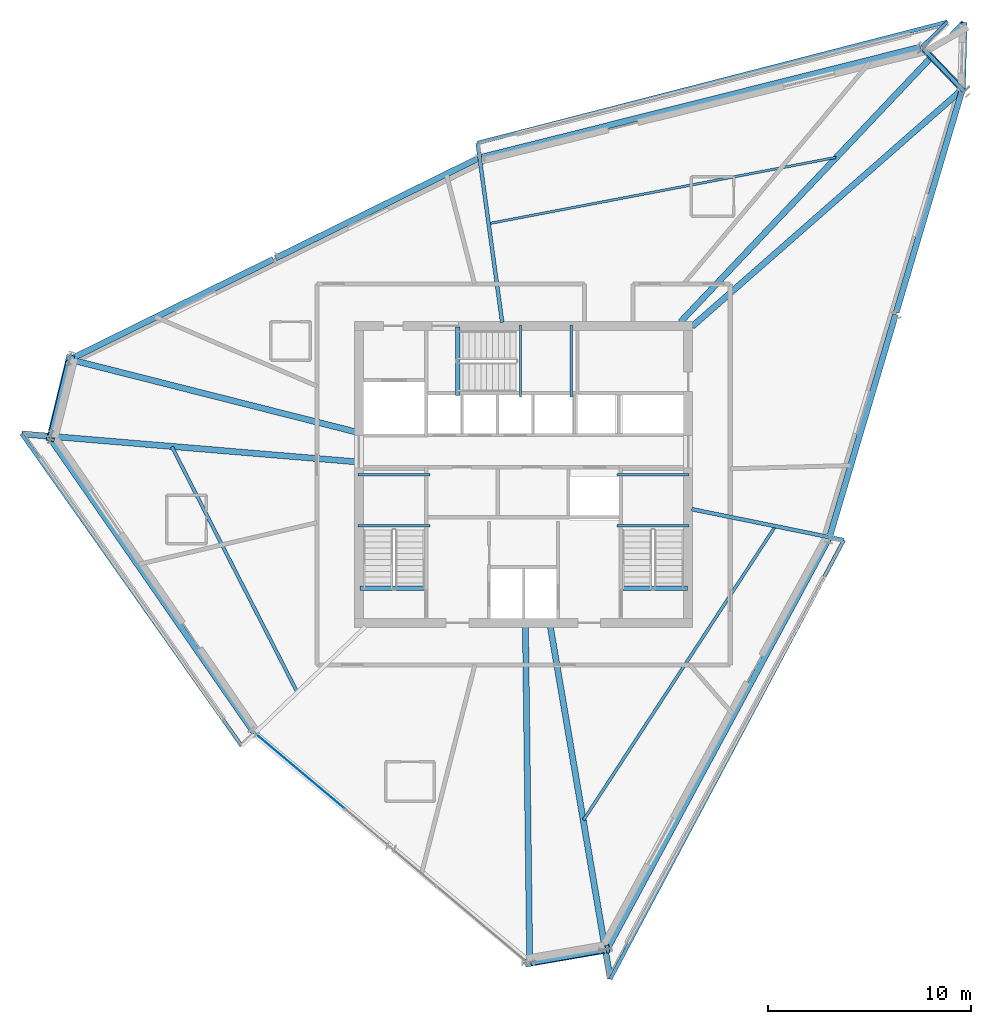
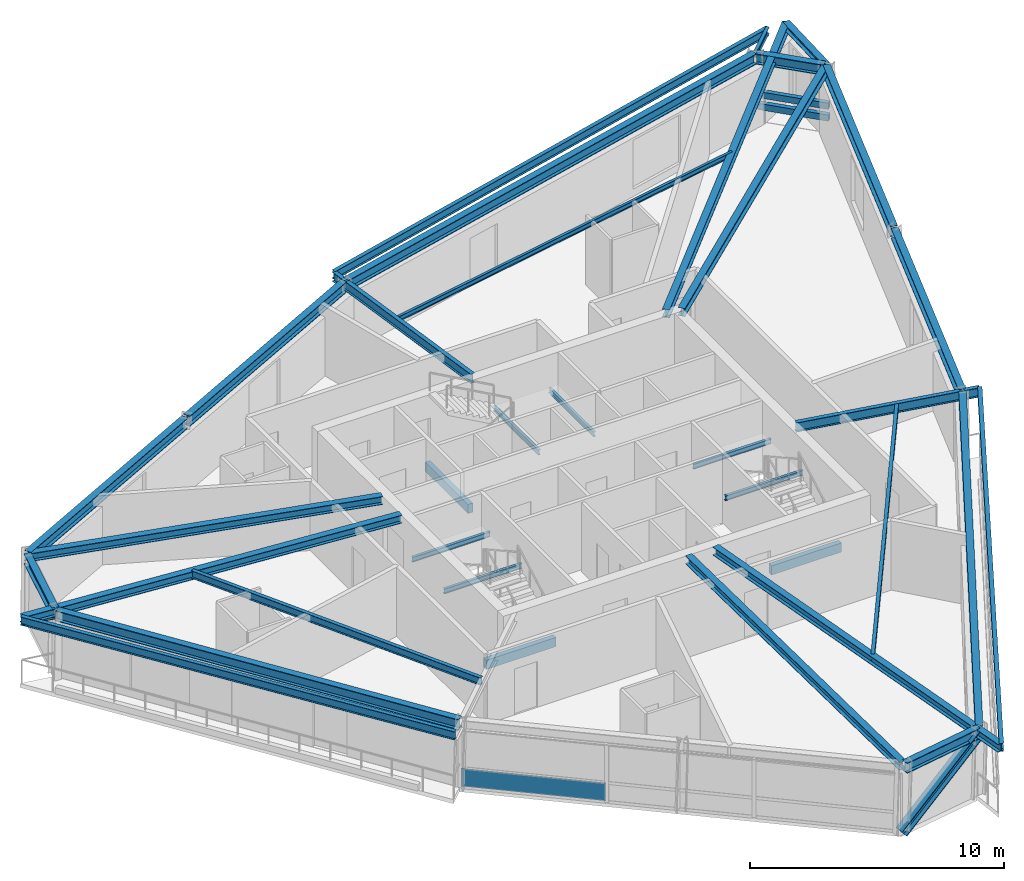
# One storey, part 4 of 14: 35 beams, 4 members, 1 plate, 1 element without a shape of its own.
"""IFC4 building model written with IfcOpenShell, lengths in metres."""

from ifc_helpers import new_model, si_unit, direction, frame, origin, origin_2d, place, context, subcontext, project, spatial, rectangle, hollow_rectangle, i_section, extrude, source, transform, mapped, material, material_profile, profile_set, type_object, element, aggregate, save


model = new_model("IFC4")

# Units and contexts
model_context = context("Model", 3, precision=1e-05, world=origin(), true_north=direction((0.0, 1.0)))
body_context = subcontext(model_context, "Body", "Model", "MODEL_VIEW")
ifc_project = project(units=[si_unit("LENGTHUNIT", "METRE"), si_unit("AREAUNIT", "SQUARE_METRE"), si_unit("VOLUMEUNIT", "CUBIC_METRE"), si_unit("PLANEANGLEUNIT", "RADIAN"), si_unit("MASSUNIT", "GRAM", prefix="KILO")], contexts=[model_context])

# Site, building, storey
site_placement = place(None, origin())
site = spatial("IfcSite", under=ifc_project, at=site_placement, CompositionType="ELEMENT")
building_placement = place(site_placement, origin())
building = spatial("IfcBuilding", under=site, at=building_placement, Name="Olszyna Solenne Hotel", CompositionType="ELEMENT")
storey_placement = place(building_placement, frame((0.0, 0.0, 216.699951171875)))
storey = spatial("IfcBuildingStorey", under=building, at=storey_placement, Name="L57", CompositionType="ELEMENT", Elevation=216.699951171875)

# Beams
ifc_material_1 = material(Name="Steel S355J2", Category="steel")
ifc_material_profile_1 = material_profile(ifc_material_1, i_section(OverallWidth=0.300048828125, OverallDepth=0.5, WebThickness=0.014404296875, FlangeThickness=0.028076171875, at=origin_2d()), Name="HEB 500", Category="load-bearing")
ifc_profile_set_1 = profile_set([ifc_material_profile_1], Name="Steel S355J2")
beam_type_1 = type_object("IfcBeamType", Name="BM-S3", PredefinedType="BEAM", material=ifc_profile_set_1)
shared_shape_1 = source(origin(), body_context, "Body", "SweptSolid", [
    extrude(i_section(OverallWidth=0.300048828125, OverallDepth=0.5, WebThickness=0.014404296875, FlangeThickness=0.028076171875, at=origin_2d()), origin(), (0.0, 0.0, 1.0), 2.787841796875),
])
beam_1_placement = place(storey_placement, frame((59.614013671875, 45.64111328125, 3.080078125), z_axis=(-0.692732331113, 0.721194784667, 0.0), x_axis=(-0.721194784667, -0.692732331113, 0.0)))
element("IfcBeam", 1, at=beam_1_placement, inside=storey, type_object=beam_type_1, Name="Perimeter spandrel beam BM-S3 B-L57-1679", PredefinedType="BEAM", context=body_context, shape_type="MappedRepresentation", body=[
    mapped(shared_shape_1, transform((0.0, 0.0, 0.0), x_axis=(1.0, 0.0, 0.0), y_axis=(0.0, 1.0, 0.0), z_axis=(0.0, 0.0, 1.0), scale=1.0)),
])
shared_shape_2 = source(origin(), body_context, "Body", "SweptSolid", [
    extrude(i_section(OverallWidth=0.300048828125, OverallDepth=0.5, WebThickness=0.014404296875, FlangeThickness=0.028076171875, at=origin_2d()), origin(), (0.0, 0.0, 1.0), 22.39111328125),
])
beam_2_placement = place(storey_placement, frame((57.5830078125, 47.68017578125, 3.080078125), z_axis=(-0.969934981378, -0.243364196009, 0.0), x_axis=(0.243364196009, -0.969934981378, 0.0)))
element("IfcBeam", 2, at=beam_2_placement, inside=storey, type_object=beam_type_1, Name="Perimeter spandrel beam BM-S3 B-L57-1680", PredefinedType="BEAM", context=body_context, shape_type="MappedRepresentation", body=[
    mapped(shared_shape_2, transform((0.0, 0.0, 0.0), x_axis=(1.0, 0.0, 0.0), y_axis=(0.0, 1.0, 0.0), z_axis=(0.0, 0.0, 1.0), scale=1.0)),
])
shared_shape_3 = source(origin(), body_context, "Body", "SweptSolid", [
    extrude(i_section(OverallWidth=0.300048828125, OverallDepth=0.5, WebThickness=0.014404296875, FlangeThickness=0.028076171875, at=origin_2d()), origin(), (0.0, 0.0, 1.0), 17.55810546875),
])
beam_3_placement = place(storey_placement, frame((14.692138671875, 28.30517578125, 3.080078125), z_axis=(0.569496993874, -0.821993414797, 0.0), x_axis=(0.821993414797, 0.569496993874, 0.0)))
element("IfcBeam", 3, at=beam_3_placement, inside=storey, type_object=beam_type_1, Name="Perimeter spandrel beam BM-S3 B-L57-1684", PredefinedType="BEAM", context=body_context, shape_type="MappedRepresentation", body=[
    mapped(shared_shape_3, transform((0.0, 0.0, 0.0), x_axis=(1.0, 0.0, 0.0), y_axis=(0.0, 1.0, 0.0), z_axis=(0.0, 0.0, 1.0), scale=1.0)),
])
shared_shape_4 = source(origin(), body_context, "Body", "SweptSolid", [
    extrude(i_section(OverallWidth=0.300048828125, OverallDepth=0.5, WebThickness=0.014404296875, FlangeThickness=0.028076171875, at=origin_2d()), origin(), (0.0, 0.0, 1.0), 3.761962890625),
])
beam_4_placement = place(storey_placement, frame((38.364013671875, 2.514892578125, 3.080078125), z_axis=(0.984805110831, 0.173663161554, 0.0), x_axis=(-0.173663161554, 0.984805110831, 0.0)))
element("IfcBeam", 4, at=beam_4_placement, inside=storey, type_object=beam_type_1, Name="Perimeter spandrel beam BM-S3 B-L57-1687", PredefinedType="BEAM", context=body_context, shape_type="MappedRepresentation", body=[
    mapped(shared_shape_4, transform((0.0, 0.0, 0.0), x_axis=(1.0, 0.0, 0.0), y_axis=(0.0, 1.0, 0.0), z_axis=(0.0, 0.0, 1.0), scale=1.0)),
])
shared_shape_5 = source(origin(), body_context, "Body", "SweptSolid", [
    extrude(i_section(OverallWidth=0.300048828125, OverallDepth=0.5, WebThickness=0.014404296875, FlangeThickness=0.028076171875, at=origin_2d()), origin(), (0.0, 0.0, 1.0), 22.9521484375),
])
beam_5_placement = place(storey_placement, frame((42.156494140625, 3.231201171875, 3.080078125), z_axis=(0.475162585562, 0.879898015273, 0.0), x_axis=(-0.879898015273, 0.475162585562, 0.0)))
element("IfcBeam", 5, at=beam_5_placement, inside=storey, type_object=beam_type_1, Name="Perimeter spandrel beam BM-S3 B-L57-1688", PredefinedType="BEAM", context=body_context, shape_type="MappedRepresentation", body=[
    mapped(shared_shape_5, transform((0.0, 0.0, 0.0), x_axis=(1.0, 0.0, 0.0), y_axis=(0.0, 1.0, 0.0), z_axis=(0.0, 0.0, 1.0), scale=1.0)),
])
shared_shape_6 = source(origin(), body_context, "Body", "SweptSolid", [
    extrude(i_section(OverallWidth=0.300048828125, OverallDepth=0.5, WebThickness=0.014404296875, FlangeThickness=0.028076171875, at=origin_2d()), origin(), (0.0, 0.0, 1.0), 11.416015625),
])
for number, where, z_axis, x_axis, name in (
    (6, (53.108154296875, 23.537109375, 3.080078125), (0.284519365103, 0.958670293105, 0.0), (-0.958670293105, 0.284519365103, 0.0), "Perimeter spandrel beam BM-S3 B-L57-1689"),
    (7, (56.390380859375, 34.59619140625, 3.080078125), (0.284539019701, 0.958664459687, 0.0), (-0.958664459687, 0.284539019701, 0.0), "Perimeter spandrel beam BM-S3 B-L57-1690"),
):
    element("IfcBeam", number, at=place(storey_placement, frame(where, z_axis=z_axis, x_axis=x_axis)), inside=storey, type_object=beam_type_1, Name=name, PredefinedType="BEAM", context=body_context, shape_type="MappedRepresentation", body=[
        mapped(shared_shape_6, transform((0.0, 0.0, 0.0), x_axis=(1.0, 0.0, 0.0), y_axis=(0.0, 1.0, 0.0), z_axis=(0.0, 0.0, 1.0), scale=1.0)),
    ])
ifc_material_profile_2 = material_profile(ifc_material_1, i_section(OverallWidth=0.300048828125, OverallDepth=0.31005859375, WebThickness=0.009033203125, FlangeThickness=0.015380859375, at=origin_2d()), Name="HEA 320", Category="load-bearing")
ifc_profile_set_2 = profile_set([ifc_material_profile_2], Name="Steel S355J2")
beam_type_2 = type_object("IfcBeamType", Name="BM-G3", PredefinedType="BEAM", material=ifc_profile_set_2)
shared_shape_7 = source(origin(), body_context, "Body", "SweptSolid", [
    extrude(i_section(OverallWidth=0.300048828125, OverallDepth=0.31005859375, WebThickness=0.009033203125, FlangeThickness=0.015380859375, at=origin_2d()), origin(), (0.0, 0.0, 1.0), 3.30224609375),
])
beam_6_placement = place(storey_placement, frame((59.65576171875, 45.597900390625, 3.175048828125), z_axis=(0.026468055481, 0.99964965965, 0.0), x_axis=(-0.99964965965, 0.026468055481, 0.0)))
element("IfcBeam", 8, at=beam_6_placement, inside=storey, type_object=beam_type_2, Name="Prism side edge beam BM-G3 B-L57-1700", PredefinedType="BEAM", context=body_context, shape_type="MappedRepresentation", body=[
    mapped(shared_shape_7, transform((0.0, 0.0, 0.0), x_axis=(1.0, 0.0, 0.0), y_axis=(0.0, 1.0, 0.0), z_axis=(0.0, 0.0, 1.0), scale=1.0)),
])
ifc_material_profile_3 = material_profile(ifc_material_1, i_section(OverallWidth=0.179931640625, OverallDepth=0.39990234375, WebThickness=0.008544921875, FlangeThickness=0.013427734375, at=origin_2d()), Name="IPE 400", Category="load-bearing")
ifc_profile_set_3 = profile_set([ifc_material_profile_3], Name="Steel S355J2")
beam_type_3 = type_object("IfcBeamType", Name="BM-F5", PredefinedType="BEAM", material=ifc_profile_set_3)
shared_shape_8 = source(origin(), body_context, "Body", "SweptSolid", [
    extrude(i_section(OverallWidth=0.179931640625, OverallDepth=0.39990234375, WebThickness=0.008544921875, FlangeThickness=0.013427734375, at=origin_2d()), origin(), (0.0, 0.0, 1.0), 23.946533203125),
])
beam_7_placement = place(storey_placement, frame((58.919677734375, 48.934814453125, 3.130126953125), z_axis=(-0.968362330548, -0.24954838564, 0.0), x_axis=(0.24954838564, -0.968362330548, 0.0)))
element("IfcBeam", 9, at=beam_7_placement, inside=storey, type_object=beam_type_3, Name="Loggia outer edge beam BM-F5 B-L57-1704", PredefinedType="BEAM", context=body_context, shape_type="MappedRepresentation", body=[
    mapped(shared_shape_8, transform((0.0, 0.0, 0.0), x_axis=(1.0, 0.0, 0.0), y_axis=(0.0, 1.0, 0.0), z_axis=(0.0, 0.0, 1.0), scale=1.0)),
])
shared_shape_9 = source(origin(), body_context, "Body", "SweptSolid", [
    extrude(i_section(OverallWidth=0.179931640625, OverallDepth=0.39990234375, WebThickness=0.008544921875, FlangeThickness=0.013427734375, at=origin_2d()), origin(), (0.0, 0.0, 1.0), 18.841064453125),
])
beam_8_placement = place(storey_placement, frame((13.22705078125, 28.60009765625, 3.130126953125), z_axis=(0.576367735802, -0.817190450952, 0.0), x_axis=(0.817190450952, 0.576367735802, 0.0)))
element("IfcBeam", 10, at=beam_8_placement, inside=storey, type_object=beam_type_3, Name="Loggia outer edge beam BM-F5 B-L57-1706", PredefinedType="BEAM", context=body_context, shape_type="MappedRepresentation", body=[
    mapped(shared_shape_9, transform((0.0, 0.0, 0.0), x_axis=(1.0, 0.0, 0.0), y_axis=(0.0, 1.0, 0.0), z_axis=(0.0, 0.0, 1.0), scale=1.0)),
])
shared_shape_10 = source(origin(), body_context, "Body", "SweptSolid", [
    extrude(i_section(OverallWidth=0.300048828125, OverallDepth=0.5, WebThickness=0.014404296875, FlangeThickness=0.028076171875, at=origin_2d()), origin(), (0.0, 0.0, 1.0), 3.91015625),
])
beam_9_placement = place(storey_placement, frame((15.59814453125, 32.211669921875, 3.080078125), z_axis=(-0.236831124937, -0.971550831537, 0.0), x_axis=(0.971550831537, -0.236831124937, 0.0)))
element("IfcBeam", 11, at=beam_9_placement, inside=storey, type_object=beam_type_1, Name="Perimeter spandrel beam BM-S3 B-L57-1683", PredefinedType="BEAM", context=body_context, shape_type="MappedRepresentation", body=[
    mapped(shared_shape_10, transform((0.0, 0.0, 0.0), x_axis=(1.0, 0.0, 0.0), y_axis=(0.0, 1.0, 0.0), z_axis=(0.0, 0.0, 1.0), scale=1.0)),
])
ifc_material_profile_4 = material_profile(ifc_material_1, i_section(OverallWidth=0.14990234375, OverallDepth=0.300048828125, WebThickness=0.007080078125, FlangeThickness=0.0107421875, at=origin_2d()), Name="IPE 300", Category="load-bearing")
ifc_profile_set_4 = profile_set([ifc_material_profile_4], Name="Steel S355J2")
beam_type_4 = type_object("IfcBeamType", Name="JS-02", PredefinedType="JOIST", material=ifc_profile_set_4)
shared_shape_11 = source(origin(), body_context, "Body", "SweptSolid", [
    extrude(i_section(OverallWidth=0.14990234375, OverallDepth=0.300048828125, WebThickness=0.007080078125, FlangeThickness=0.0107421875, at=origin_2d()), origin(), (0.0, 0.0, 1.0), 1.760986328125),
])
beam_10_placement = place(storey_placement, frame((57.655517578125, 47.708740234375, 3.179931640625), z_axis=(0.71783740571, 0.696210786302, 0.0), x_axis=(-0.696210786302, 0.71783740571, 0.0)))
element("IfcBeam", 12, at=beam_10_placement, inside=storey, type_object=beam_type_4, Name="Loggia side bracket JS-02 B-L57-1705", PredefinedType="JOIST", context=body_context, shape_type="MappedRepresentation", body=[
    mapped(shared_shape_11, transform((0.0, 0.0, 0.0), x_axis=(1.0, 0.0, 0.0), y_axis=(0.0, 1.0, 0.0), z_axis=(0.0, 0.0, 1.0), scale=1.0)),
])

# Member
ifc_material_2 = material(Name="Steel S460M", Category="steel")
ifc_material_profile_5 = material_profile(ifc_material_2, i_section(OverallWidth=0.40087890625, OverallDepth=0.39892578125, WebThickness=0.02197265625, FlangeThickness=0.034423828125, at=origin_2d()), Name="HD 400x314", Category="load-bearing")
ifc_profile_set_5 = profile_set([ifc_material_profile_5], Name="Steel S460M")
member_type_1 = type_object("IfcMemberType", Name="BR-T3", PredefinedType="BRACE", material=ifc_profile_set_5)
shared_shape_12 = source(origin(), body_context, "Body", "SweptSolid", [
    extrude(i_section(OverallWidth=0.40087890625, OverallDepth=0.39892578125, WebThickness=0.02197265625, FlangeThickness=0.034423828125, at=origin_2d()), origin(), (0.0, 0.0, 1.0), 5.015869140625),
])
member_1_placement = place(storey_placement, frame((38.19970703125, 2.50341796875, 0.010009765625), z_axis=(0.783170901895, 0.134584682644, 0.607066966341), x_axis=(-0.169363327243, 0.985553683665, 0.0)))
element("IfcMember", 13, at=member_1_placement, inside=storey, type_object=member_type_1, Name="Perimeter braced-tube diagonal BR-T3 BR-L57-3", PredefinedType="BRACE", context=body_context, shape_type="MappedRepresentation", body=[
    mapped(shared_shape_12, transform((0.0, 0.0, 0.0), x_axis=(1.0, 0.0, 0.0), y_axis=(0.0, 1.0, 0.0), z_axis=(0.0, 0.0, 1.0), scale=1.0)),
])

# Beams
shared_shape_13 = source(origin(), body_context, "Body", "SweptSolid", [
    extrude(i_section(OverallWidth=0.300048828125, OverallDepth=0.5, WebThickness=0.014404296875, FlangeThickness=0.028076171875, at=origin_2d()), origin(), (0.0, 0.0, 1.0), 11.1357421875),
])
for number, where, z_axis, x_axis, name in (
    (14, (35.753173828125, 42.189697265625, 3.080078125), (-0.897094610937, -0.441838498808, 0.0), (0.441838498808, -0.897094610937, 0.0), "Perimeter spandrel beam BM-S3 B-L57-1681"),
    (15, (25.65576171875, 37.216552734375, 3.080078125), (-0.897094610937, -0.441838498808, 0.0), (0.441838498808, -0.897094610937, 0.0), "Perimeter spandrel beam BM-S3 B-L57-1682"),
):
    element("IfcBeam", number, at=place(storey_placement, frame(where, z_axis=z_axis, x_axis=x_axis)), inside=storey, type_object=beam_type_1, Name=name, PredefinedType="BEAM", context=body_context, shape_type="MappedRepresentation", body=[
        mapped(shared_shape_13, transform((0.0, 0.0, 0.0), x_axis=(1.0, 0.0, 0.0), y_axis=(0.0, 1.0, 0.0), z_axis=(0.0, 0.0, 1.0), scale=1.0)),
    ])
ifc_material_profile_6 = material_profile(ifc_material_1, i_section(OverallWidth=0.300048828125, OverallDepth=0.389892578125, WebThickness=0.010986328125, FlangeThickness=0.01904296875, at=origin_2d()), Name="HEA 400", Category="load-bearing")
ifc_profile_set_6 = profile_set([ifc_material_profile_6], Name="Steel S355J2")
beam_type_5 = type_object("IfcBeamType", Name="BM-G2", PredefinedType="BEAM", material=ifc_profile_set_6)
shared_shape_14 = source(origin(), body_context, "Body", "SweptSolid", [
    extrude(i_section(OverallWidth=0.300048828125, OverallDepth=0.389892578125, WebThickness=0.010986328125, FlangeThickness=0.01904296875, at=origin_2d()), origin(), (0.0, 0.0, 1.0), 17.690185546875),
])
beam_11_placement = place(storey_placement, frame((59.610595703125, 45.558349609375, 3.135009765625), z_axis=(-0.751723703204, -0.659478183143, 0.0), x_axis=(0.659478183143, -0.751723703204, 0.0)))
element("IfcBeam", 16, at=beam_11_placement, inside=storey, type_object=beam_type_5, Name="Radial floor girder BM-G2 B-L57-1691", PredefinedType="BEAM", context=body_context, shape_type="MappedRepresentation", body=[
    mapped(shared_shape_14, transform((0.0, 0.0, 0.0), x_axis=(1.0, 0.0, 0.0), y_axis=(0.0, 1.0, 0.0), z_axis=(0.0, 0.0, 1.0), scale=1.0)),
])
shared_shape_15 = source(origin(), body_context, "Body", "SweptSolid", [
    extrude(i_section(OverallWidth=0.300048828125, OverallDepth=0.389892578125, WebThickness=0.010986328125, FlangeThickness=0.01904296875, at=origin_2d()), origin(), (0.0, 0.0, 1.0), 20.34228515625),
])
beam_12_placement = place(storey_placement, frame((59.7294921875, 48.884521484375, 3.135009765625), z_axis=(-0.687655760823, -0.726036882402, 0.0), x_axis=(0.726036882402, -0.687655760823, 0.0)))
element("IfcBeam", 17, at=beam_12_placement, inside=storey, type_object=beam_type_5, Name="Radial floor girder BM-G2 B-L57-1692", PredefinedType="BEAM", context=body_context, shape_type="MappedRepresentation", body=[
    mapped(shared_shape_15, transform((0.0, 0.0, 0.0), x_axis=(1.0, 0.0, 0.0), y_axis=(0.0, 1.0, 0.0), z_axis=(0.0, 0.0, 1.0), scale=1.0)),
])
ifc_material_profile_7 = material_profile(ifc_material_1, i_section(OverallWidth=0.18994140625, OverallDepth=0.449951171875, WebThickness=0.009521484375, FlangeThickness=0.0146484375, at=origin_2d()), Name="IPE 450", Category="load-bearing")
ifc_profile_set_7 = profile_set([ifc_material_profile_7], Name="Steel S355J2")
beam_type_6 = type_object("IfcBeamType", Name="BM-F4", PredefinedType="BEAM", material=ifc_profile_set_7)
shared_shape_16 = source(origin(), body_context, "Body", "SweptSolid", [
    extrude(i_section(OverallWidth=0.18994140625, OverallDepth=0.449951171875, WebThickness=0.009521484375, FlangeThickness=0.0146484375, at=origin_2d()), origin(), (0.0, 0.0, 1.0), 8.921630859375),
])
beam_13_placement = place(storey_placement, frame((35.7333984375, 42.939208984375, 3.10498046875), z_axis=(0.136005826732, -0.990708037262, 0.0), x_axis=(0.990708037262, 0.136005826732, 0.0)))
element("IfcBeam", 18, at=beam_13_placement, inside=storey, type_object=beam_type_6, Name="Radial floor girder BM-F4 B-L57-1693", PredefinedType="BEAM", context=body_context, shape_type="MappedRepresentation", body=[
    mapped(shared_shape_16, transform((0.0, 0.0, 0.0), x_axis=(1.0, 0.0, 0.0), y_axis=(0.0, 1.0, 0.0), z_axis=(0.0, 0.0, 1.0), scale=1.0)),
])
shared_shape_17 = source(origin(), body_context, "Body", "SweptSolid", [
    extrude(i_section(OverallWidth=0.300048828125, OverallDepth=0.389892578125, WebThickness=0.010986328125, FlangeThickness=0.01904296875, at=origin_2d()), origin(), (0.0, 0.0, 1.0), 14.470947265625),
])
beam_14_placement = place(storey_placement, frame((15.67041015625, 32.255126953125, 3.135009765625), z_axis=(0.969394624555, -0.245507763388, 0.0), x_axis=(0.245507763388, 0.969394624555, 0.0)))
element("IfcBeam", 19, at=beam_14_placement, inside=storey, type_object=beam_type_5, Name="Radial floor girder BM-G2 B-L57-1694", PredefinedType="BEAM", context=body_context, shape_type="MappedRepresentation", body=[
    mapped(shared_shape_17, transform((0.0, 0.0, 0.0), x_axis=(1.0, 0.0, 0.0), y_axis=(0.0, 1.0, 0.0), z_axis=(0.0, 0.0, 1.0), scale=1.0)),
])
shared_shape_18 = source(origin(), body_context, "Body", "SweptSolid", [
    extrude(i_section(OverallWidth=0.300048828125, OverallDepth=0.389892578125, WebThickness=0.010986328125, FlangeThickness=0.01904296875, at=origin_2d()), origin(), (0.0, 0.0, 1.0), 16.510498046875),
])
beam_15_placement = place(storey_placement, frame((13.246826171875, 28.598388671875, 3.135009765625), z_axis=(0.99652860446, -0.083251069016, 0.0), x_axis=(0.083251069016, 0.99652860446, 0.0)))
element("IfcBeam", 20, at=beam_15_placement, inside=storey, type_object=beam_type_5, Name="Radial floor girder BM-G2 B-L57-1695", PredefinedType="BEAM", context=body_context, shape_type="MappedRepresentation", body=[
    mapped(shared_shape_18, transform((0.0, 0.0, 0.0), x_axis=(1.0, 0.0, 0.0), y_axis=(0.0, 1.0, 0.0), z_axis=(0.0, 0.0, 1.0), scale=1.0)),
])
shared_shape_19 = source(origin(), body_context, "Body", "SweptSolid", [
    extrude(i_section(OverallWidth=0.300048828125, OverallDepth=0.389892578125, WebThickness=0.010986328125, FlangeThickness=0.01904296875, at=origin_2d()), origin(), (0.0, 0.0, 1.0), 16.536865234375),
])
beam_16_placement = place(storey_placement, frame((38.30419921875, 2.564453125, 3.135009765625), z_axis=(-0.012652168966, 0.999919958107, 0.0), x_axis=(-0.999919958107, -0.012652168966, 0.0)))
element("IfcBeam", 21, at=beam_16_placement, inside=storey, type_object=beam_type_5, Name="Radial floor girder BM-G2 B-L57-1697", PredefinedType="BEAM", context=body_context, shape_type="MappedRepresentation", body=[
    mapped(shared_shape_19, transform((0.0, 0.0, 0.0), x_axis=(1.0, 0.0, 0.0), y_axis=(0.0, 1.0, 0.0), z_axis=(0.0, 0.0, 1.0), scale=1.0)),
])
shared_shape_20 = source(origin(), body_context, "Body", "SweptSolid", [
    extrude(i_section(OverallWidth=0.300048828125, OverallDepth=0.389892578125, WebThickness=0.010986328125, FlangeThickness=0.01904296875, at=origin_2d()), origin(), (0.0, 0.0, 1.0), 17.635498046875),
])
beam_17_placement = place(storey_placement, frame((42.277099609375, 1.712890625, 3.135009765625), z_axis=(-0.16756347142, 0.985861289962, 0.0), x_axis=(-0.985861289962, -0.16756347142, 0.0)))
element("IfcBeam", 22, at=beam_17_placement, inside=storey, type_object=beam_type_5, Name="Radial floor girder BM-G2 B-L57-1698", PredefinedType="BEAM", context=body_context, shape_type="MappedRepresentation", body=[
    mapped(shared_shape_20, transform((0.0, 0.0, 0.0), x_axis=(1.0, 0.0, 0.0), y_axis=(0.0, 1.0, 0.0), z_axis=(0.0, 0.0, 1.0), scale=1.0)),
])
shared_shape_21 = source(origin(), body_context, "Body", "SweptSolid", [
    extrude(i_section(OverallWidth=0.18994140625, OverallDepth=0.449951171875, WebThickness=0.009521484375, FlangeThickness=0.0146484375, at=origin_2d()), origin(), (0.0, 0.0, 1.0), 7.63916015625),
])
beam_18_placement = place(storey_placement, frame((53.786865234375, 23.360595703125, 3.10498046875), z_axis=(-0.979926293014, 0.199360127057, 0.0), x_axis=(-0.199360127057, -0.979926293014, 0.0)))
element("IfcBeam", 23, at=beam_18_placement, inside=storey, type_object=beam_type_6, Name="Radial floor girder BM-F4 B-L57-1699", PredefinedType="BEAM", context=body_context, shape_type="MappedRepresentation", body=[
    mapped(shared_shape_21, transform((0.0, 0.0, 0.0), x_axis=(1.0, 0.0, 0.0), y_axis=(0.0, 1.0, 0.0), z_axis=(0.0, 0.0, 1.0), scale=1.0)),
])
ifc_material_profile_8 = material_profile(ifc_material_1, i_section(OverallWidth=0.1201171875, OverallDepth=0.239990234375, WebThickness=0.006103515625, FlangeThickness=0.009765625, at=origin_2d()), Name="IPE 240", Category="load-bearing")
ifc_profile_set_8 = profile_set([ifc_material_profile_8], Name="Steel S355J2")
beam_type_7 = type_object("IfcBeamType", Name="JS-03", PredefinedType="JOIST", material=ifc_profile_set_8)
shared_shape_22 = source(origin(), body_context, "Body", "SweptSolid", [
    extrude(i_section(OverallWidth=0.1201171875, OverallDepth=0.239990234375, WebThickness=0.006103515625, FlangeThickness=0.009765625, at=origin_2d()), origin(), (0.0, 0.0, 1.0), 17.43359375),
])
beam_19_placement = place(storey_placement, frame((53.422607421875, 42.242431640625, 3.2099609375), z_axis=(-0.982294167374, -0.187345052622, 0.0), x_axis=(0.187345052622, -0.982294167374, 0.0)))
element("IfcBeam", 24, at=beam_19_placement, inside=storey, type_object=beam_type_7, Name="Secondary composite floor joist JS-03 B-L57-1701", PredefinedType="JOIST", context=body_context, shape_type="MappedRepresentation", body=[
    mapped(shared_shape_22, transform((0.0, 0.0, 0.0), x_axis=(1.0, 0.0, 0.0), y_axis=(0.0, 1.0, 0.0), z_axis=(0.0, 0.0, 1.0), scale=1.0)),
])
ifc_material_profile_9 = material_profile(ifc_material_1, i_section(OverallWidth=0.169921875, OverallDepth=0.360107421875, WebThickness=0.008056640625, FlangeThickness=0.0126953125, at=origin_2d()), Name="IPE 360", Category="load-bearing")
ifc_profile_set_9 = profile_set([ifc_material_profile_9], Name="Steel S355J2")
beam_type_8 = type_object("IfcBeamType", Name="JS-01", PredefinedType="JOIST", material=ifc_profile_set_9)
shared_shape_23 = source(origin(), body_context, "Body", "SweptSolid", [
    extrude(i_section(OverallWidth=0.169921875, OverallDepth=0.360107421875, WebThickness=0.008056640625, FlangeThickness=0.0126953125, at=origin_2d()), origin(), (0.0, 0.0, 1.0), 13.58056640625),
])
beam_20_placement = place(storey_placement, frame((20.64892578125, 27.962890625, 3.150146484375), z_axis=(0.454748031511, -0.890620136667, 0.0), x_axis=(0.890620136667, 0.454748031511, 0.0)))
element("IfcBeam", 25, at=beam_20_placement, inside=storey, type_object=beam_type_8, Name="Secondary composite floor joist JS-01 B-L57-1702", PredefinedType="JOIST", context=body_context, shape_type="MappedRepresentation", body=[
    mapped(shared_shape_23, transform((0.0, 0.0, 0.0), x_axis=(1.0, 0.0, 0.0), y_axis=(0.0, 1.0, 0.0), z_axis=(0.0, 0.0, 1.0), scale=1.0)),
])
shared_shape_24 = source(origin(), body_context, "Body", "SweptSolid", [
    extrude(i_section(OverallWidth=0.14990234375, OverallDepth=0.300048828125, WebThickness=0.007080078125, FlangeThickness=0.0107421875, at=origin_2d()), origin(), (0.0, 0.0, 1.0), 17.29931640625),
])
beam_21_placement = place(storey_placement, frame((40.9599609375, 9.54248046875, 3.179931640625), z_axis=(0.54674468276, 0.837299380075, 0.0), x_axis=(-0.837299380075, 0.54674468276, 0.0)))
element("IfcBeam", 26, at=beam_21_placement, inside=storey, type_object=beam_type_4, Name="Secondary composite floor joist JS-02 B-L57-1703", PredefinedType="JOIST", context=body_context, shape_type="MappedRepresentation", body=[
    mapped(shared_shape_24, transform((0.0, 0.0, 0.0), x_axis=(1.0, 0.0, 0.0), y_axis=(0.0, 1.0, 0.0), z_axis=(0.0, 0.0, 1.0), scale=1.0)),
])
shared_shape_25 = source(origin(), body_context, "Body", "SweptSolid", [
    extrude(i_section(OverallWidth=0.179931640625, OverallDepth=0.39990234375, WebThickness=0.008544921875, FlangeThickness=0.013427734375, at=origin_2d()), origin(), (0.0, 0.0, 1.0), 24.538818359375),
])
beam_22_placement = place(storey_placement, frame((42.280517578125, 1.693115234375, 3.130126953125), z_axis=(0.46969877066, 0.882826746786, 0.0), x_axis=(-0.882826746786, 0.46969877066, 0.0)))
element("IfcBeam", 27, at=beam_22_placement, inside=storey, type_object=beam_type_3, Name="Loggia outer edge beam BM-F5 B-L57-1707", PredefinedType="BEAM", context=body_context, shape_type="MappedRepresentation", body=[
    mapped(shared_shape_25, transform((0.0, 0.0, 0.0), x_axis=(1.0, 0.0, 0.0), y_axis=(0.0, 1.0, 0.0), z_axis=(0.0, 0.0, 1.0), scale=1.0)),
])

# Members
ifc_material_profile_10 = material_profile(ifc_material_1, hollow_rectangle(XDim=0.199951171875, YDim=0.300048828125, WallThickness=0.01611328125, at=origin_2d()), Name="RHS 300x200x16", Category="load-bearing")
ifc_profile_set_10 = profile_set([ifc_material_profile_10], Name="Steel S355J2")
member_type_2 = type_object("IfcMemberType", Name="CH-PR1", PredefinedType="CHORD", material=ifc_profile_set_10)
shared_shape_26 = source(origin(), body_context, "Body", "SweptSolid", [
    extrude(hollow_rectangle(XDim=0.199951171875, YDim=0.300048828125, WallThickness=0.01611328125, at=origin_2d()), origin(), (0.0, 0.0, 1.0), 2.907470703125),
])
for number, where, z_axis, x_axis, name in (
    (28, (59.73828125, 45.50341796875, 1.35009765625), (-0.689640495104, 0.724151909141, 0.0), (-0.724151909141, -0.689640495104, 0.0), "Glass-prism tie chord CH-PR1 M-L57-PR1"),
    (29, (59.73828125, 45.50341796875, 0.780029296875), (-0.689640495104, 0.724151909141, 0.0), (-0.724151909141, -0.689640495104, 0.0), "Glass-prism tie chord CH-PR1 M-L57-PR2"),
):
    element("IfcMember", number, at=place(storey_placement, frame(where, z_axis=z_axis, x_axis=x_axis)), inside=storey, type_object=member_type_2, Name=name, PredefinedType="CHORD", context=body_context, shape_type="MappedRepresentation", body=[
        mapped(shared_shape_26, transform((0.0, 0.0, 0.0), x_axis=(1.0, 0.0, 0.0), y_axis=(0.0, 1.0, 0.0), z_axis=(0.0, 0.0, 1.0), scale=1.0)),
    ])
shared_shape_27 = source(origin(), body_context, "Body", "SweptSolid", [
    extrude(i_section(OverallWidth=0.40087890625, OverallDepth=0.39892578125, WebThickness=0.02197265625, FlangeThickness=0.034423828125, at=origin_2d()), origin(), (0.0, 0.0, 1.0), 5.131591796875),
])
member_2_placement = place(storey_placement, frame((15.63720703125, 32.367431640625, 0.010009765625), z_axis=(-0.190823996485, -0.781993026734, 0.593357487949), x_axis=(0.971493451965, -0.23706638899, 0.0)))
element("IfcMember", 30, at=member_2_placement, inside=storey, type_object=member_type_1, Name="Perimeter braced-tube diagonal BR-T3 BR-L57-2", PredefinedType="BRACE", context=body_context, shape_type="MappedRepresentation", body=[
    mapped(shared_shape_27, transform((0.0, 0.0, 0.0), x_axis=(1.0, 0.0, 0.0), y_axis=(0.0, 1.0, 0.0), z_axis=(0.0, 0.0, 1.0), scale=1.0)),
])

# Beams
shared_shape_28 = source(origin(), body_context, "Body", "SweptSolid", [
    extrude(i_section(OverallWidth=0.1201171875, OverallDepth=0.239990234375, WebThickness=0.006103515625, FlangeThickness=0.009765625, at=origin_2d()), origin(), (0.0, 0.0, 1.0), 3.539794921875),
])
for number, where, z_axis, x_axis, name in (
    (31, (33.3798828125, 24.070068359375, 1.449951171875), (-1.0, 0.0, 0.0), (0.0, -1.0, 0.0), "Stair landing support beam JS-03 SLB-ST1-0119"),
    (32, (33.3798828125, 26.580078125, 1.449951171875), (-1.0, 0.0, 0.0), (0.0, -1.0, 0.0), "Stair landing support beam JS-03 SLB-ST1-0120"),
    (33, (46.159912109375, 24.070068359375, 1.449951171875), (-1.0, 0.0, 0.0), (0.0, -1.0, 0.0), "Stair landing support beam JS-03 SLB-ST2-0359"),
    (34, (46.159912109375, 26.580078125, 1.449951171875), (-1.0, 0.0, 0.0), (0.0, -1.0, 0.0), "Stair landing support beam JS-03 SLB-ST2-0360"),
):
    element("IfcBeam", number, at=place(storey_placement, frame(where, z_axis=z_axis, x_axis=x_axis)), inside=storey, type_object=beam_type_7, Name=name, PredefinedType="JOIST", context=body_context, shape_type="MappedRepresentation", body=[
        mapped(shared_shape_28, transform((0.0, 0.0, 0.0), x_axis=(1.0, 0.0, 0.0), y_axis=(0.0, 1.0, 0.0), z_axis=(0.0, 0.0, 1.0), scale=1.0)),
    ])
ifc_material_3 = material(Name="Concrete C50/60", Category="concrete")
ifc_material_profile_11 = material_profile(ifc_material_3, rectangle(XDim=0.219970703125, YDim=0.43994140625, at=origin_2d()), Name="RC 220x440", Category="load-bearing")
ifc_profile_set_11 = profile_set([ifc_material_profile_11], Name="Concrete C50/60")
beam_type_9 = type_object("IfcBeamType", Name="BM-ST1", PredefinedType="BEAM", material=ifc_profile_set_11)
shared_shape_29 = source(origin(), body_context, "Body", "SweptSolid", [
    extrude(rectangle(XDim=0.219970703125, YDim=0.43994140625, at=origin_2d()), origin(), (0.0, 0.0, 1.0), 3.18017578125),
])
for number, where, z_axis, x_axis, name in (
    (35, (33.10009765625, 20.97998046875, -0.204833984375), (-1.0, 0.0, 0.0), (0.0, -1.0, 0.0), "Concrete stair trimmer beam BM-ST1 SHB-ST1-0219"),
    (36, (46.080078125, 20.97998046875, -0.204833984375), (-1.0, 0.0, 0.0), (0.0, -1.0, 0.0), "Concrete stair trimmer beam BM-ST1 SHB-ST2-0459"),
):
    element("IfcBeam", number, at=place(storey_placement, frame(where, z_axis=z_axis, x_axis=x_axis)), inside=storey, type_object=beam_type_9, Name=name, PredefinedType="BEAM", context=body_context, shape_type="MappedRepresentation", body=[
        mapped(shared_shape_29, transform((0.0, 0.0, 0.0), x_axis=(1.0, 0.0, 0.0), y_axis=(0.0, 1.0, 0.0), z_axis=(0.0, 0.0, 1.0), scale=1.0)),
    ])
shared_shape_30 = source(origin(), body_context, "Body", "SweptSolid", [
    extrude(i_section(OverallWidth=0.1201171875, OverallDepth=0.239990234375, WebThickness=0.006103515625, FlangeThickness=0.009765625, at=origin_2d()), origin(), (0.0, 0.0, 1.0), 3.5400390625),
])
for number, where, z_axis, x_axis, name in (
    (37, (37.85009765625, 30.419921875, 1.449951171875), (0.0, 1.0, 0.0), (-1.0, 0.0, 0.0), "Stair landing support beam JS-03 SLB-ST3-0599"),
    (38, (40.360107421875, 30.419921875, 1.449951171875), (0.0, 1.0, 0.0), (-1.0, 0.0, 0.0), "Stair landing support beam JS-03 SLB-ST3-0600"),
):
    element("IfcBeam", number, at=place(storey_placement, frame(where, z_axis=z_axis, x_axis=x_axis)), inside=storey, type_object=beam_type_7, Name=name, PredefinedType="JOIST", context=body_context, shape_type="MappedRepresentation", body=[
        mapped(shared_shape_30, transform((0.0, 0.0, 0.0), x_axis=(1.0, 0.0, 0.0), y_axis=(0.0, 1.0, 0.0), z_axis=(0.0, 0.0, 1.0), scale=1.0)),
    ])
shared_shape_31 = source(origin(), body_context, "Body", "SweptSolid", [
    extrude(rectangle(XDim=0.219970703125, YDim=0.43994140625, at=origin_2d()), origin(), (0.0, 0.0, 1.0), 3.3798828125),
])
beam_23_placement = place(storey_placement, frame((34.760009765625, 30.5, -0.204833984375), z_axis=(0.0, 1.0, 0.0), x_axis=(-1.0, 0.0, 0.0)))
element("IfcBeam", 39, at=beam_23_placement, inside=storey, type_object=beam_type_9, Name="Concrete stair trimmer beam BM-ST1 SHB-ST3-0697", PredefinedType="BEAM", context=body_context, shape_type="MappedRepresentation", body=[
    mapped(shared_shape_31, transform((0.0, 0.0, 0.0), x_axis=(1.0, 0.0, 0.0), y_axis=(0.0, 1.0, 0.0), z_axis=(0.0, 0.0, 1.0), scale=1.0)),
])

# Curtain wall, plate
ifc_material_4 = material(Name="Anodised bronze aluminium", Category="aluminium")
curtain_wall_type = type_object("IfcCurtainWallType", Name="CW-SYS-4", PredefinedType="NOTDEFINED", material=ifc_material_4)
curtain_wall_placement = place(storey_placement, origin())
curtain_wall = element("IfcCurtainWall", 40, at=curtain_wall_placement, inside=storey, type_object=curtain_wall_type, Name="Unitised curtain wall CW-SYS-4 CW-L57-01", PredefinedType="NOTDEFINED")
ifc_material_5 = material(Name="Terracotta cladding", Category="masonry")
plate_type = type_object("IfcPlateType", Name="PN-SP1", PredefinedType="CURTAIN_PANEL", material=ifc_material_5)
shared_shape_32 = source(origin(), body_context, "Body", "SweptSolid", [
    extrude(rectangle(XDim=5.795166015625, YDim=0.035888671875, at=origin_2d()), origin(), (0.0, 0.0, 1.0), 0.8525390625),
])
plate_placement = place(storey_placement, frame((26.9375, 11.974609375, 0.06494140625), z_axis=(0.0, 0.0, 1.0), x_axis=(0.76534346718, -0.643622076412, 0.0)))
plate = element("IfcPlate", 41, at=plate_placement, type_object=plate_type, Name="Curtain-wall panel PN-SP1 CP-L57-01-01", PredefinedType="CURTAIN_PANEL", context=body_context, shape_type="MappedRepresentation", body=[
    mapped(shared_shape_32, transform((0.0, 0.0, 0.0), x_axis=(1.0, 0.0, 0.0), y_axis=(0.0, 1.0, 0.0), z_axis=(0.0, 0.0, 1.0), scale=1.0)),
])
aggregate(curtain_wall, [plate])

save(model, "model.ifc")
